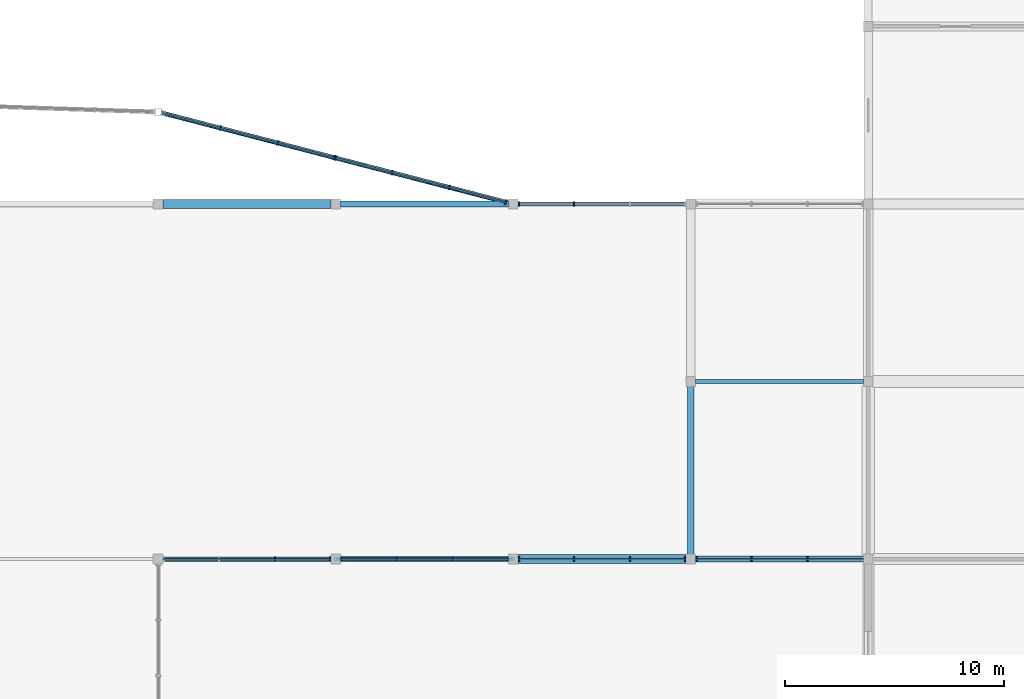
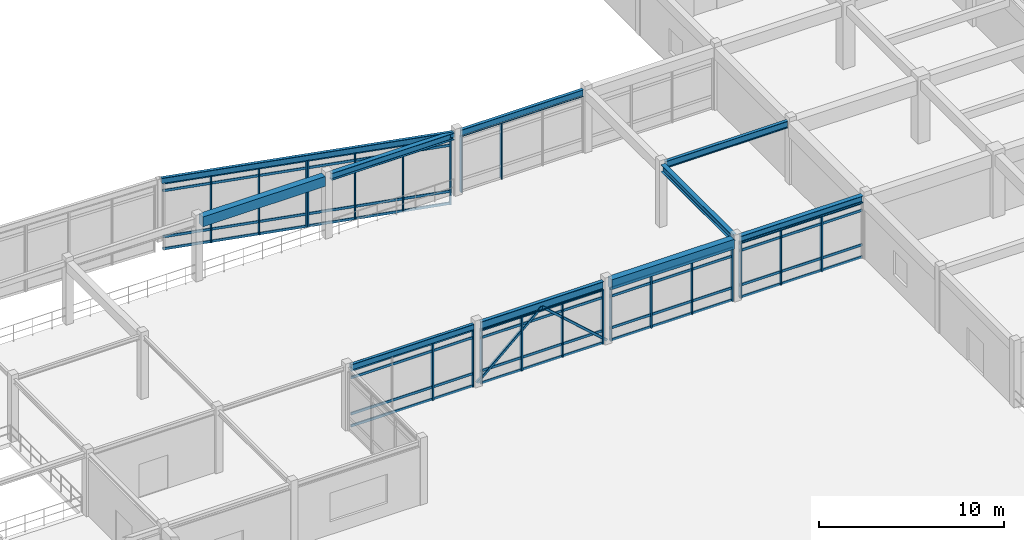
# One storey, part 27 of 89: 48 members, 10 beams, 7 elements without a shape of their own.
"""IFC4 building model written with IfcOpenShell, lengths in metres."""

from ifc_helpers import new_model, si_unit, direction, frame, origin, origin_2d, place, context, subcontext, project, spatial, rectangle, hollow_rectangle, i_section, extrude, material, layer, layer_set, material_profile, profile_set, type_object, element, aggregate, save


model = new_model("IFC4")

# Units and contexts
model_context = context("Model", 3, precision=1e-05, world=origin(), true_north=direction((0.0, 1.0)))
body_context = subcontext(model_context, "Body", "Model", "MODEL_VIEW")
ifc_project = project(units=[si_unit("LENGTHUNIT", "METRE"), si_unit("AREAUNIT", "SQUARE_METRE"), si_unit("VOLUMEUNIT", "CUBIC_METRE"), si_unit("PLANEANGLEUNIT", "RADIAN"), si_unit("MASSUNIT", "GRAM", prefix="KILO")], contexts=[model_context])

# Site, building, storey
site_placement = place(None, origin())
site = spatial("IfcSite", under=ifc_project, at=site_placement, CompositionType="ELEMENT")
building_placement = place(site_placement, origin())
building = spatial("IfcBuilding", under=site, at=building_placement, Name="Vaudrelin Polytechnic", CompositionType="ELEMENT")
storey_placement = place(building_placement, frame((0.0, 0.0, 9.68994140625)))
storey = spatial("IfcBuildingStorey", under=building, at=storey_placement, Name="L02", CompositionType="ELEMENT", Elevation=9.68994140625)

# Beams
ifc_material_1 = material(Name="Steel CSA G40.21 350WT", Category="steel")
ifc_material_profile_1 = material_profile(ifc_material_1, i_section(OverallWidth=0.19091796875, OverallDepth=0.4599609375, WebThickness=0.010009765625, FlangeThickness=0.01611328125, FilletRadius=0.01806640625, at=origin_2d()), Name="W460x82")
ifc_profile_set_1 = profile_set([ifc_material_profile_1], Name="Steel CSA G40.21 350WT")
beam_type_1 = type_object("IfcBeamType", Name="BM-BM-W460", PredefinedType="BEAM", material=ifc_profile_set_1)
for number, where, z_axis, x_axis, name in (
    (1, (113.62109375, 48.60009765625, 3.91015625), (1.0, 0.0, 0.0), (0.0, 1.0, 0.0), "L02 X-beam 15-7"),
    (2, (121.720947265625, 40.5, 3.91015625), (1.0, 0.0, 0.0), (0.0, 1.0, 0.0), "L02 X-beam 16-6"),
):
    element("IfcBeam", number, at=place(storey_placement, frame(where, z_axis=z_axis, x_axis=x_axis)), inside=storey, type_object=beam_type_1, Name=name, PredefinedType="BEAM", context=body_context, shape_type="SweptSolid", body=[
        extrude(i_section(OverallWidth=0.19091796875, OverallDepth=0.4599609375, WebThickness=0.010009765625, FlangeThickness=0.01611328125, FilletRadius=0.01806640625, at=origin_2d()), origin(), (0.0, 0.0, 1.0), 7.657958984375),
    ])
ifc_material_2 = material(Name="Steel CSA G40.21 350W", Category="steel")
ifc_material_profile_2 = material_profile(ifc_material_2, i_section(OverallWidth=0.280029296875, OverallDepth=0.462890625, WebThickness=0.0107421875, FlangeThickness=0.017333984375, FilletRadius=0.01806640625, at=origin_2d()), Name="W460x113")
ifc_profile_set_2 = profile_set([ifc_material_profile_2], Name="Steel CSA G40.21 350W")
beam_type_2 = type_object("IfcBeamType", Name="BM-BM-W460H", PredefinedType="BEAM", material=ifc_profile_set_2)
beam_1_placement = place(storey_placement, frame((121.5, 32.610107421875, 3.908447265625), z_axis=(0.0, 1.0, 0.0), x_axis=(-1.0, 0.0, 0.0)))
element("IfcBeam", 3, at=beam_1_placement, inside=storey, type_object=beam_type_2, Name="L02 Y-beam 16-5", PredefinedType="BEAM", context=body_context, shape_type="SweptSolid", body=[
    extrude(i_section(OverallWidth=0.280029296875, OverallDepth=0.462890625, WebThickness=0.0107421875, FlangeThickness=0.017333984375, FilletRadius=0.01806640625, at=origin_2d()), origin(), (0.0, 0.0, 1.0), 7.679931640625),
])
for number, where, z_axis, x_axis, name in (
    (4, (105.52099609375, 48.60009765625, 3.908447265625), (1.0, 0.0, 0.0), (0.0, 1.0, 0.0), "L02 X-beam 14-7"),
    (5, (121.720947265625, 32.39990234375, 3.908447265625), (1.0, 0.0, 0.0), (0.0, 1.0, 0.0), "L02 X-beam 16-5"),
):
    element("IfcBeam", number, at=place(storey_placement, frame(where, z_axis=z_axis, x_axis=x_axis)), inside=storey, type_object=beam_type_2, Name=name, PredefinedType="BEAM", context=body_context, shape_type="SweptSolid", body=[
        extrude(i_section(OverallWidth=0.280029296875, OverallDepth=0.462890625, WebThickness=0.0107421875, FlangeThickness=0.017333984375, FilletRadius=0.01806640625, at=origin_2d()), origin(), (0.0, 0.0, 1.0), 7.657958984375),
    ])
ifc_material_profile_3 = material_profile(ifc_material_2, i_section(OverallWidth=0.214111328125, OverallDepth=0.549072265625, WebThickness=0.0146484375, FlangeThickness=0.023681640625, FilletRadius=0.01904296875, at=origin_2d()), Name="W530x138")
ifc_profile_set_3 = profile_set([ifc_material_profile_3], Name="Steel CSA G40.21 350W")
beam_type_3 = type_object("IfcBeamType", Name="BM-BM-W530H", PredefinedType="BEAM", material=ifc_profile_set_3)
beam_2_placement = place(storey_placement, frame((105.52099609375, 32.39990234375, 3.865478515625), z_axis=(1.0, 0.0, 0.0), x_axis=(0.0, 1.0, 0.0)))
element("IfcBeam", 6, at=beam_2_placement, inside=storey, type_object=beam_type_3, Name="L02 X-beam 14-5", PredefinedType="BEAM", context=body_context, shape_type="SweptSolid", body=[
    extrude(i_section(OverallWidth=0.214111328125, OverallDepth=0.549072265625, WebThickness=0.0146484375, FlangeThickness=0.023681640625, FilletRadius=0.01904296875, at=origin_2d()), origin(), (0.0, 0.0, 1.0), 7.657958984375),
])
ifc_material_profile_4 = material_profile(ifc_material_1, hollow_rectangle(XDim=0.202880859375, YDim=0.35595703125, WallThickness=0.0126953125, InnerFilletRadius=0.0126953125, OuterFilletRadius=0.025390625, at=origin_2d()), Name="HSS356x203x12.7")
ifc_profile_set_4 = profile_set([ifc_material_profile_4], Name="Steel CSA G40.21 350WT")
beam_type_4 = type_object("IfcBeamType", Name="BM-SP-HSS35", PredefinedType="SPANDREL", material=ifc_profile_set_4)
beam_3_placement = place(storey_placement, frame((97.4208984375, 32.39990234375, 3.962158203125), z_axis=(1.0, 0.0, 0.0), x_axis=(0.0, 1.0, 0.0)))
element("IfcBeam", 7, at=beam_3_placement, inside=storey, type_object=beam_type_4, Name="L02 X-beam 13-5", PredefinedType="SPANDREL", context=body_context, shape_type="SweptSolid", body=[
    extrude(hollow_rectangle(XDim=0.202880859375, YDim=0.35595703125, WallThickness=0.0126953125, InnerFilletRadius=0.0126953125, OuterFilletRadius=0.025390625, at=origin_2d()), origin(), (0.0, 0.0, 1.0), 7.658203125),
])
beam_4_placement = place(storey_placement, frame((97.33544921875, 52.764892578125, 3.962158203125), z_axis=(0.96799462882, -0.250970911811, 0.0), x_axis=(0.250970911811, 0.96799462882, 0.0)))
element("IfcBeam", 8, at=beam_4_placement, inside=storey, type_object=beam_type_4, Name="Sculptural edge beam L02 CT_OR1_B3", PredefinedType="SPANDREL", context=body_context, shape_type="SweptSolid", body=[
    extrude(hollow_rectangle(XDim=0.202880859375, YDim=0.35595703125, WallThickness=0.0126953125, InnerFilletRadius=0.0126953125, OuterFilletRadius=0.025390625, at=origin_2d()), origin(), (0.0, 0.0, 1.0), 16.45556640625),
])
ifc_material_3 = material(Name="Concrete 40 MPa", Category="concrete")
ifc_material_profile_5 = material_profile(ifc_material_3, rectangle(XDim=0.39990234375, YDim=0.64990234375, at=origin_2d()), Name="RC400x650")
ifc_profile_set_5 = profile_set([ifc_material_profile_5], Name="Concrete 40 MPa")
beam_type_5 = type_object("IfcBeamType", Name="BM-SP-RC4065", PredefinedType="SPANDREL", material=ifc_profile_set_5)
beam_5_placement = place(storey_placement, frame((97.4208984375, 48.60009765625, 3.81494140625), z_axis=(1.0, 0.0, 0.0), x_axis=(0.0, 1.0, 0.0)))
element("IfcBeam", 9, at=beam_5_placement, inside=storey, type_object=beam_type_5, Name="L02 X-beam 13-7", PredefinedType="SPANDREL", context=body_context, shape_type="SweptSolid", body=[
    extrude(rectangle(XDim=0.39990234375, YDim=0.64990234375, at=origin_2d()), origin(), (0.0, 0.0, 1.0), 7.658203125),
])
beam_6_placement = place(storey_placement, frame((113.62109375, 32.39990234375, 3.81494140625), z_axis=(1.0, 0.0, 0.0), x_axis=(0.0, 1.0, 0.0)))
element("IfcBeam", 10, at=beam_6_placement, inside=storey, type_object=beam_type_5, Name="L02 X-beam 15-5", PredefinedType="SPANDREL", context=body_context, shape_type="SweptSolid", body=[
    extrude(rectangle(XDim=0.39990234375, YDim=0.64990234375, at=origin_2d()), origin(), (0.0, 0.0, 1.0), 7.657958984375),
])

# Members
ifc_material_profile_6 = material_profile(ifc_material_2, hollow_rectangle(XDim=0.152099609375, YDim=0.152099609375, WallThickness=0.008056640625, InnerFilletRadius=0.008056640625, OuterFilletRadius=0.01611328125, at=origin_2d()), Name="HSS152x152x8.0")
ifc_profile_set_6 = profile_set([ifc_material_profile_6], Name="Steel CSA G40.21 350W")
member_type_1 = type_object("IfcMemberType", Name="MEM-BF-D01", PredefinedType="BRACE", material=ifc_profile_set_6)
member_1_placement = place(storey_placement, frame((105.300048828125, 32.39990234375, 0.150146484375), z_axis=(0.745504532885, 0.0, 0.666500556225), x_axis=(0.0, 1.0, 0.0)))
element("IfcMember", 11, at=member_1_placement, inside=storey, type_object=member_type_1, Name="Chevron brace BF-09A", PredefinedType="BRACE", context=body_context, shape_type="SweptSolid", body=[
    extrude(hollow_rectangle(XDim=0.152099609375, YDim=0.152099609375, WallThickness=0.008056640625, InnerFilletRadius=0.008056640625, OuterFilletRadius=0.01611328125, at=origin_2d()), origin(), (0.0, 0.0, 1.0), 5.4326171875),
])
member_2_placement = place(storey_placement, frame((113.39990234375, 32.39990234375, 0.150146484375), z_axis=(-0.745484568638, 0.0, 0.666522886271), x_axis=(0.0, -1.0, 0.0)))
element("IfcMember", 12, at=member_2_placement, inside=storey, type_object=member_type_1, Name="Chevron brace BF-09B", PredefinedType="BRACE", context=body_context, shape_type="SweptSolid", body=[
    extrude(hollow_rectangle(XDim=0.152099609375, YDim=0.152099609375, WallThickness=0.008056640625, InnerFilletRadius=0.008056640625, OuterFilletRadius=0.01611328125, at=origin_2d()), origin(), (0.0, 0.0, 1.0), 5.432373046875),
])

# Curtain wall, members
ifc_material_4 = material(Name="Thermally broken anodised aluminium AA 6063-T6 and low-e triple glazing", Category="aluminium")
ifc_layer = layer(ifc_material_4, 0.199951171875)
ifc_layer_set = layer_set([ifc_layer], Name="Thermally broken anodised aluminium AA 6063-T6 and low-e triple glazing")
curtain_wall_type = type_object("IfcCurtainWallType", Name="CW-CW-WG", PredefinedType="USERDEFINED", material=ifc_layer_set)
curtain_wall_1_placement = place(storey_placement, origin())
curtain_wall_1 = element("IfcCurtainWall", 13, at=curtain_wall_1_placement, inside=storey, type_object=curtain_wall_type, Name="Curtain wall L02 S_V6E_00", ObjectType="CURTAIN WALL", PredefinedType="USERDEFINED")
ifc_material_5 = material(Name="Anodised aluminium AA 6063-T6", Category="aluminium")
ifc_material_profile_7 = material_profile(ifc_material_5, rectangle(XDim=0.074951171875, YDim=0.219970703125, at=origin_2d()), Name="CWM-75x220")
ifc_profile_set_7 = profile_set([ifc_material_profile_7], Name="Anodised aluminium AA 6063-T6")
member_type_2 = type_object("IfcMemberType", Name="MEM-CWM-220", PredefinedType="MULLION", material=ifc_profile_set_7)
member_3_placement = place(storey_placement, frame((102.525634765625, 32.39990234375, 0.0), z_axis=(0.0, 0.0, 1.0), x_axis=(1.0, 0.0, 0.0)))
member_3 = element("IfcMember", 14, at=member_3_placement, type_object=member_type_2, Name="S_V6E_00 mullion 3", PredefinedType="MULLION", context=body_context, shape_type="SweptSolid", body=[
    extrude(rectangle(XDim=0.074951171875, YDim=0.219970703125, at=origin_2d()), origin(), (0.0, 0.0, 1.0), 3.7861328125),
])
member_4_placement = place(storey_placement, frame((105.037109375, 32.39990234375, 0.0), z_axis=(0.0, 0.0, 1.0), x_axis=(1.0, 0.0, 0.0)))
member_4 = element("IfcMember", 15, at=member_4_placement, type_object=member_type_2, Name="S_V6E_00 mullion 4", PredefinedType="MULLION", context=body_context, shape_type="SweptSolid", body=[
    extrude(rectangle(XDim=0.074951171875, YDim=0.219970703125, at=origin_2d()), origin(), (0.0, 0.0, 1.0), 3.7861328125),
])

curtain_wall_2_placement = place(storey_placement, origin())
curtain_wall_2 = element("IfcCurtainWall", 16, at=curtain_wall_2_placement, inside=storey, type_object=curtain_wall_type, Name="Curtain wall L02 S_V6E_01", ObjectType="CURTAIN WALL", PredefinedType="USERDEFINED")
member_5_placement = place(storey_placement, frame((105.56298828125, 32.39990234375, 0.0), z_axis=(0.0, 0.0, 1.0), x_axis=(1.0, 0.0, 0.0)))
member_5 = element("IfcMember", 17, at=member_5_placement, type_object=member_type_2, Name="S_V6E_01 mullion 1", PredefinedType="MULLION", context=body_context, shape_type="SweptSolid", body=[
    extrude(rectangle(XDim=0.074951171875, YDim=0.219970703125, at=origin_2d()), origin(), (0.0, 0.0, 1.0), 3.593017578125),
])
member_6_placement = place(storey_placement, frame((108.07421875, 32.39990234375, 0.0), z_axis=(0.0, 0.0, 1.0), x_axis=(1.0, 0.0, 0.0)))
member_6 = element("IfcMember", 18, at=member_6_placement, type_object=member_type_2, Name="S_V6E_01 mullion 2", PredefinedType="MULLION", context=body_context, shape_type="SweptSolid", body=[
    extrude(rectangle(XDim=0.074951171875, YDim=0.219970703125, at=origin_2d()), origin(), (0.0, 0.0, 1.0), 3.593017578125),
])
member_7_placement = place(storey_placement, frame((110.625732421875, 32.39990234375, 0.0), z_axis=(0.0, 0.0, 1.0), x_axis=(1.0, 0.0, 0.0)))
member_7 = element("IfcMember", 19, at=member_7_placement, type_object=member_type_2, Name="S_V6E_01 mullion 3", PredefinedType="MULLION", context=body_context, shape_type="SweptSolid", body=[
    extrude(rectangle(XDim=0.074951171875, YDim=0.219970703125, at=origin_2d()), origin(), (0.0, 0.0, 1.0), 3.593017578125),
])
member_8_placement = place(storey_placement, frame((113.136962890625, 32.39990234375, 0.0), z_axis=(0.0, 0.0, 1.0), x_axis=(1.0, 0.0, 0.0)))
member_8 = element("IfcMember", 20, at=member_8_placement, type_object=member_type_2, Name="S_V6E_01 mullion 4", PredefinedType="MULLION", context=body_context, shape_type="SweptSolid", body=[
    extrude(rectangle(XDim=0.074951171875, YDim=0.219970703125, at=origin_2d()), origin(), (0.0, 0.0, 1.0), 3.593017578125),
])

curtain_wall_3_placement = place(storey_placement, origin())
curtain_wall_3 = element("IfcCurtainWall", 21, at=curtain_wall_3_placement, inside=storey, type_object=curtain_wall_type, Name="Curtain wall L02 S_V6E_02", ObjectType="CURTAIN WALL", PredefinedType="USERDEFINED")
member_9_placement = place(storey_placement, frame((113.6630859375, 32.39990234375, 0.0), z_axis=(0.0, 0.0, 1.0), x_axis=(1.0, 0.0, 0.0)))
member_9 = element("IfcMember", 22, at=member_9_placement, type_object=member_type_2, Name="S_V6E_02 mullion 1", PredefinedType="MULLION", context=body_context, shape_type="SweptSolid", body=[
    extrude(rectangle(XDim=0.074951171875, YDim=0.219970703125, at=origin_2d()), origin(), (0.0, 0.0, 1.0), 3.491943359375),
])
member_10_placement = place(storey_placement, frame((116.17431640625, 32.39990234375, 0.0), z_axis=(0.0, 0.0, 1.0), x_axis=(1.0, 0.0, 0.0)))
member_10 = element("IfcMember", 23, at=member_10_placement, type_object=member_type_2, Name="S_V6E_02 mullion 2", PredefinedType="MULLION", context=body_context, shape_type="SweptSolid", body=[
    extrude(rectangle(XDim=0.074951171875, YDim=0.219970703125, at=origin_2d()), origin(), (0.0, 0.0, 1.0), 3.491943359375),
])
member_11_placement = place(storey_placement, frame((118.7255859375, 32.39990234375, 0.0), z_axis=(0.0, 0.0, 1.0), x_axis=(1.0, 0.0, 0.0)))
member_11 = element("IfcMember", 24, at=member_11_placement, type_object=member_type_2, Name="S_V6E_02 mullion 3", PredefinedType="MULLION", context=body_context, shape_type="SweptSolid", body=[
    extrude(rectangle(XDim=0.074951171875, YDim=0.219970703125, at=origin_2d()), origin(), (0.0, 0.0, 1.0), 3.491943359375),
])
member_12_placement = place(storey_placement, frame((121.237060546875, 32.39990234375, 0.0), z_axis=(0.0, 0.0, 1.0), x_axis=(1.0, 0.0, 0.0)))
member_12 = element("IfcMember", 25, at=member_12_placement, type_object=member_type_2, Name="S_V6E_02 mullion 4", PredefinedType="MULLION", context=body_context, shape_type="SweptSolid", body=[
    extrude(rectangle(XDim=0.074951171875, YDim=0.219970703125, at=origin_2d()), origin(), (0.0, 0.0, 1.0), 3.491943359375),
])

curtain_wall_4_placement = place(storey_placement, origin())
curtain_wall_4 = element("IfcCurtainWall", 26, at=curtain_wall_4_placement, inside=storey, type_object=curtain_wall_type, Name="Curtain wall L02 S_V6E_03", ObjectType="CURTAIN WALL", PredefinedType="USERDEFINED")
member_13_placement = place(storey_placement, frame((121.762939453125, 32.39990234375, 0.0), z_axis=(0.0, 0.0, 1.0), x_axis=(1.0, 0.0, 0.0)))
member_13 = element("IfcMember", 27, at=member_13_placement, type_object=member_type_2, Name="S_V6E_03 mullion 1", PredefinedType="MULLION", context=body_context, shape_type="SweptSolid", body=[
    extrude(rectangle(XDim=0.074951171875, YDim=0.219970703125, at=origin_2d()), origin(), (0.0, 0.0, 1.0), 3.678955078125),
])
member_14_placement = place(storey_placement, frame((124.2744140625, 32.39990234375, 0.0), z_axis=(0.0, 0.0, 1.0), x_axis=(1.0, 0.0, 0.0)))
member_14 = element("IfcMember", 28, at=member_14_placement, type_object=member_type_2, Name="S_V6E_03 mullion 2", PredefinedType="MULLION", context=body_context, shape_type="SweptSolid", body=[
    extrude(rectangle(XDim=0.074951171875, YDim=0.219970703125, at=origin_2d()), origin(), (0.0, 0.0, 1.0), 3.678955078125),
])
member_15_placement = place(storey_placement, frame((126.82568359375, 32.39990234375, 0.0), z_axis=(0.0, 0.0, 1.0), x_axis=(1.0, 0.0, 0.0)))
member_15 = element("IfcMember", 29, at=member_15_placement, type_object=member_type_2, Name="S_V6E_03 mullion 3", PredefinedType="MULLION", context=body_context, shape_type="SweptSolid", body=[
    extrude(rectangle(XDim=0.074951171875, YDim=0.219970703125, at=origin_2d()), origin(), (0.0, 0.0, 1.0), 3.678955078125),
])

curtain_wall_5_placement = place(storey_placement, origin())
curtain_wall_5 = element("IfcCurtainWall", 30, at=curtain_wall_5_placement, inside=storey, type_object=curtain_wall_type, Name="Curtain wall L02 CT_S_08", ObjectType="CURTAIN WALL", PredefinedType="USERDEFINED")
member_16_placement = place(storey_placement, frame((113.6630859375, 48.60009765625, 0.0), z_axis=(0.0, 0.0, 1.0), x_axis=(1.0, 0.0, 0.0)))
member_16 = element("IfcMember", 31, at=member_16_placement, type_object=member_type_2, Name="CT_S_08 mullion 1", PredefinedType="MULLION", context=body_context, shape_type="SweptSolid", body=[
    extrude(rectangle(XDim=0.074951171875, YDim=0.219970703125, at=origin_2d()), origin(), (0.0, 0.0, 1.0), 3.68212890625),
])
member_17_placement = place(storey_placement, frame((116.17431640625, 48.60009765625, 0.0), z_axis=(0.0, 0.0, 1.0), x_axis=(1.0, 0.0, 0.0)))
member_17 = element("IfcMember", 32, at=member_17_placement, type_object=member_type_2, Name="CT_S_08 mullion 2", PredefinedType="MULLION", context=body_context, shape_type="SweptSolid", body=[
    extrude(rectangle(XDim=0.074951171875, YDim=0.219970703125, at=origin_2d()), origin(), (0.0, 0.0, 1.0), 3.68212890625),
])
aggregate(curtain_wall_5, [member_16, member_17])

curtain_wall_6_placement = place(storey_placement, origin())
curtain_wall_6 = element("IfcCurtainWall", 33, at=curtain_wall_6_placement, inside=storey, type_object=curtain_wall_type, Name="Curtain wall L02 CT_OR1_3_0", ObjectType="CURTAIN WALL", PredefinedType="USERDEFINED")
member_18_placement = place(storey_placement, frame((100.04443359375, 52.0625, -0.6298828125), z_axis=(0.0, 0.0, 1.0), x_axis=(0.967997343156, -0.250960442388, 0.0)))
member_18 = element("IfcMember", 34, at=member_18_placement, type_object=member_type_2, Name="CT_OR1_3_0 mullion 2", PredefinedType="MULLION", context=body_context, shape_type="SweptSolid", body=[
    extrude(rectangle(XDim=0.074951171875, YDim=0.219970703125, at=origin_2d()), origin(), (0.0, 0.0, 1.0), 4.43994140625),
])
member_19_placement = place(storey_placement, frame((102.654052734375, 51.385986328125, -0.6298828125), z_axis=(0.0, 0.0, 1.0), x_axis=(0.967997343156, -0.250960442388, 0.0)))
member_19 = element("IfcMember", 35, at=member_19_placement, type_object=member_type_2, Name="CT_OR1_3_0 mullion 3", PredefinedType="MULLION", context=body_context, shape_type="SweptSolid", body=[
    extrude(rectangle(XDim=0.074951171875, YDim=0.219970703125, at=origin_2d()), origin(), (0.0, 0.0, 1.0), 4.43994140625),
])
member_20_placement = place(storey_placement, frame((105.22509765625, 50.719482421875, -0.6298828125), z_axis=(0.0, 0.0, 1.0), x_axis=(0.967997343156, -0.250960442388, 0.0)))
member_20 = element("IfcMember", 36, at=member_20_placement, type_object=member_type_2, Name="CT_OR1_3_0 mullion 4", PredefinedType="MULLION", context=body_context, shape_type="SweptSolid", body=[
    extrude(rectangle(XDim=0.074951171875, YDim=0.219970703125, at=origin_2d()), origin(), (0.0, 0.0, 1.0), 4.43994140625),
])

curtain_wall_7_placement = place(storey_placement, origin())
curtain_wall_7 = element("IfcCurtainWall", 37, at=curtain_wall_7_placement, inside=storey, type_object=curtain_wall_type, Name="Curtain wall L02 CT_OR1_3_1", ObjectType="CURTAIN WALL", PredefinedType="USERDEFINED")
member_21_placement = place(storey_placement, frame((105.302490234375, 50.699462890625, -0.6298828125), z_axis=(0.0, 0.0, 1.0), x_axis=(0.967998121865, -0.250957438755, 0.0)))
member_21 = element("IfcMember", 38, at=member_21_placement, type_object=member_type_2, Name="CT_OR1_3_1 mullion 1", PredefinedType="MULLION", context=body_context, shape_type="SweptSolid", body=[
    extrude(rectangle(XDim=0.074951171875, YDim=0.219970703125, at=origin_2d()), origin(), (0.0, 0.0, 1.0), 4.43994140625),
])
member_22_placement = place(storey_placement, frame((107.873291015625, 50.03271484375, -0.6298828125), z_axis=(0.0, 0.0, 1.0), x_axis=(0.967998121865, -0.250957438755, 0.0)))
member_22 = element("IfcMember", 39, at=member_22_placement, type_object=member_type_2, Name="CT_OR1_3_1 mullion 2", PredefinedType="MULLION", context=body_context, shape_type="SweptSolid", body=[
    extrude(rectangle(XDim=0.074951171875, YDim=0.219970703125, at=origin_2d()), origin(), (0.0, 0.0, 1.0), 4.43994140625),
])
member_23_placement = place(storey_placement, frame((110.48291015625, 49.356201171875, -0.6298828125), z_axis=(0.0, 0.0, 1.0), x_axis=(0.967998121865, -0.250957438755, 0.0)))
member_23 = element("IfcMember", 40, at=member_23_placement, type_object=member_type_2, Name="CT_OR1_3_1 mullion 3", PredefinedType="MULLION", context=body_context, shape_type="SweptSolid", body=[
    extrude(rectangle(XDim=0.074951171875, YDim=0.219970703125, at=origin_2d()), origin(), (0.0, 0.0, 1.0), 4.43994140625),
])
member_24_placement = place(storey_placement, frame((113.053955078125, 48.689697265625, -0.6298828125), z_axis=(0.0, 0.0, 1.0), x_axis=(0.967998121865, -0.250957438755, 0.0)))
member_24 = element("IfcMember", 41, at=member_24_placement, type_object=member_type_2, Name="CT_OR1_3_1 mullion 4", PredefinedType="MULLION", context=body_context, shape_type="SweptSolid", body=[
    extrude(rectangle(XDim=0.074951171875, YDim=0.219970703125, at=origin_2d()), origin(), (0.0, 0.0, 1.0), 4.43994140625),
])

# Member
ifc_material_profile_8 = material_profile(ifc_material_5, rectangle(XDim=0.074951171875, YDim=0.1650390625, at=origin_2d()), Name="CWT-75x165")
ifc_profile_set_8 = profile_set([ifc_material_profile_8], Name="Anodised aluminium AA 6063-T6")
member_type_3 = type_object("IfcMemberType", Name="MEM-CWT-165", PredefinedType="USERDEFINED", material=ifc_profile_set_8)
member_25_placement = place(storey_placement, frame((97.423095703125, 32.39990234375, 0.050048828125), z_axis=(1.0, 0.0, 0.0), x_axis=(0.0, 1.0, 0.0)))
member_25 = element("IfcMember", 42, at=member_25_placement, type_object=member_type_3, Name="S_V6E_00 transom 1", ObjectType="TRANSOM", PredefinedType="USERDEFINED", context=body_context, shape_type="SweptSolid", body=[
    extrude(rectangle(XDim=0.074951171875, YDim=0.1650390625, at=origin_2d()), origin(), (0.0, 0.0, 1.0), 7.65380859375),
])

member_26_placement = place(storey_placement, frame((97.423095703125, 32.39990234375, 0.85009765625), z_axis=(1.0, 0.0, 0.0), x_axis=(0.0, 1.0, 0.0)))
member_26 = element("IfcMember", 43, at=member_26_placement, type_object=member_type_3, Name="S_V6E_00 transom 2", ObjectType="TRANSOM", PredefinedType="USERDEFINED", context=body_context, shape_type="SweptSolid", body=[
    extrude(rectangle(XDim=0.074951171875, YDim=0.1650390625, at=origin_2d()), origin(), (0.0, 0.0, 1.0), 7.65380859375),
])

member_27_placement = place(storey_placement, frame((97.423095703125, 32.39990234375, 3.236083984375), z_axis=(1.0, 0.0, 0.0), x_axis=(0.0, 1.0, 0.0)))
member_27 = element("IfcMember", 44, at=member_27_placement, type_object=member_type_3, Name="S_V6E_00 transom 3", ObjectType="TRANSOM", PredefinedType="USERDEFINED", context=body_context, shape_type="SweptSolid", body=[
    extrude(rectangle(XDim=0.074951171875, YDim=0.1650390625, at=origin_2d()), origin(), (0.0, 0.0, 1.0), 7.65380859375),
])

member_28_placement = place(storey_placement, frame((97.423095703125, 32.39990234375, 3.736083984375), z_axis=(1.0, 0.0, 0.0), x_axis=(0.0, 1.0, 0.0)))
member_28 = element("IfcMember", 45, at=member_28_placement, type_object=member_type_3, Name="S_V6E_00 transom 4", ObjectType="TRANSOM", PredefinedType="USERDEFINED", context=body_context, shape_type="SweptSolid", body=[
    extrude(rectangle(XDim=0.074951171875, YDim=0.1650390625, at=origin_2d()), origin(), (0.0, 0.0, 1.0), 7.65380859375),
])

aggregate(curtain_wall_1, [member_3, member_4, member_25, member_26, member_27, member_28])

member_29_placement = place(storey_placement, frame((105.52294921875, 32.39990234375, 0.050048828125), z_axis=(1.0, 0.0, 0.0), x_axis=(0.0, 1.0, 0.0)))
member_29 = element("IfcMember", 46, at=member_29_placement, type_object=member_type_3, Name="S_V6E_01 transom 1", ObjectType="TRANSOM", PredefinedType="USERDEFINED", context=body_context, shape_type="SweptSolid", body=[
    extrude(rectangle(XDim=0.074951171875, YDim=0.1650390625, at=origin_2d()), origin(), (0.0, 0.0, 1.0), 7.654052734375),
])

member_30_placement = place(storey_placement, frame((105.52294921875, 32.39990234375, 0.85009765625), z_axis=(1.0, 0.0, 0.0), x_axis=(0.0, 1.0, 0.0)))
member_30 = element("IfcMember", 47, at=member_30_placement, type_object=member_type_3, Name="S_V6E_01 transom 2", ObjectType="TRANSOM", PredefinedType="USERDEFINED", context=body_context, shape_type="SweptSolid", body=[
    extrude(rectangle(XDim=0.074951171875, YDim=0.1650390625, at=origin_2d()), origin(), (0.0, 0.0, 1.0), 7.654052734375),
])

member_31_placement = place(storey_placement, frame((105.52294921875, 32.39990234375, 3.04296875), z_axis=(1.0, 0.0, 0.0), x_axis=(0.0, 1.0, 0.0)))
member_31 = element("IfcMember", 48, at=member_31_placement, type_object=member_type_3, Name="S_V6E_01 transom 3", ObjectType="TRANSOM", PredefinedType="USERDEFINED", context=body_context, shape_type="SweptSolid", body=[
    extrude(rectangle(XDim=0.074951171875, YDim=0.1650390625, at=origin_2d()), origin(), (0.0, 0.0, 1.0), 7.654052734375),
])

member_32_placement = place(storey_placement, frame((105.52294921875, 32.39990234375, 3.54296875), z_axis=(1.0, 0.0, 0.0), x_axis=(0.0, 1.0, 0.0)))
member_32 = element("IfcMember", 49, at=member_32_placement, type_object=member_type_3, Name="S_V6E_01 transom 4", ObjectType="TRANSOM", PredefinedType="USERDEFINED", context=body_context, shape_type="SweptSolid", body=[
    extrude(rectangle(XDim=0.074951171875, YDim=0.1650390625, at=origin_2d()), origin(), (0.0, 0.0, 1.0), 7.654052734375),
])

aggregate(curtain_wall_2, [member_5, member_6, member_7, member_8, member_29, member_30, member_31, member_32])

member_33_placement = place(storey_placement, frame((113.623046875, 32.39990234375, 0.050048828125), z_axis=(1.0, 0.0, 0.0), x_axis=(0.0, 1.0, 0.0)))
member_33 = element("IfcMember", 50, at=member_33_placement, type_object=member_type_3, Name="S_V6E_02 transom 1", ObjectType="TRANSOM", PredefinedType="USERDEFINED", context=body_context, shape_type="SweptSolid", body=[
    extrude(rectangle(XDim=0.074951171875, YDim=0.1650390625, at=origin_2d()), origin(), (0.0, 0.0, 1.0), 7.654052734375),
])

member_34_placement = place(storey_placement, frame((113.623046875, 32.39990234375, 0.85009765625), z_axis=(1.0, 0.0, 0.0), x_axis=(0.0, 1.0, 0.0)))
member_34 = element("IfcMember", 51, at=member_34_placement, type_object=member_type_3, Name="S_V6E_02 transom 2", ObjectType="TRANSOM", PredefinedType="USERDEFINED", context=body_context, shape_type="SweptSolid", body=[
    extrude(rectangle(XDim=0.074951171875, YDim=0.1650390625, at=origin_2d()), origin(), (0.0, 0.0, 1.0), 7.654052734375),
])

member_35_placement = place(storey_placement, frame((113.623046875, 32.39990234375, 2.942138671875), z_axis=(1.0, 0.0, 0.0), x_axis=(0.0, 1.0, 0.0)))
member_35 = element("IfcMember", 52, at=member_35_placement, type_object=member_type_3, Name="S_V6E_02 transom 3", ObjectType="TRANSOM", PredefinedType="USERDEFINED", context=body_context, shape_type="SweptSolid", body=[
    extrude(rectangle(XDim=0.074951171875, YDim=0.1650390625, at=origin_2d()), origin(), (0.0, 0.0, 1.0), 7.654052734375),
])

member_36_placement = place(storey_placement, frame((113.623046875, 32.39990234375, 3.442138671875), z_axis=(1.0, 0.0, 0.0), x_axis=(0.0, 1.0, 0.0)))
member_36 = element("IfcMember", 53, at=member_36_placement, type_object=member_type_3, Name="S_V6E_02 transom 4", ObjectType="TRANSOM", PredefinedType="USERDEFINED", context=body_context, shape_type="SweptSolid", body=[
    extrude(rectangle(XDim=0.074951171875, YDim=0.1650390625, at=origin_2d()), origin(), (0.0, 0.0, 1.0), 7.654052734375),
])

aggregate(curtain_wall_3, [member_9, member_10, member_11, member_12, member_33, member_34, member_35, member_36])

member_37_placement = place(storey_placement, frame((121.722900390625, 32.39990234375, 0.050048828125), z_axis=(1.0, 0.0, 0.0), x_axis=(0.0, 1.0, 0.0)))
member_37 = element("IfcMember", 54, at=member_37_placement, type_object=member_type_3, Name="S_V6E_03 transom 1", ObjectType="TRANSOM", PredefinedType="USERDEFINED", context=body_context, shape_type="SweptSolid", body=[
    extrude(rectangle(XDim=0.074951171875, YDim=0.1650390625, at=origin_2d()), origin(), (0.0, 0.0, 1.0), 7.654052734375),
])

member_38_placement = place(storey_placement, frame((121.722900390625, 32.39990234375, 0.85009765625), z_axis=(1.0, 0.0, 0.0), x_axis=(0.0, 1.0, 0.0)))
member_38 = element("IfcMember", 55, at=member_38_placement, type_object=member_type_3, Name="S_V6E_03 transom 2", ObjectType="TRANSOM", PredefinedType="USERDEFINED", context=body_context, shape_type="SweptSolid", body=[
    extrude(rectangle(XDim=0.074951171875, YDim=0.1650390625, at=origin_2d()), origin(), (0.0, 0.0, 1.0), 7.654052734375),
])

member_39_placement = place(storey_placement, frame((121.722900390625, 32.39990234375, 3.129150390625), z_axis=(1.0, 0.0, 0.0), x_axis=(0.0, 1.0, 0.0)))
member_39 = element("IfcMember", 56, at=member_39_placement, type_object=member_type_3, Name="S_V6E_03 transom 3", ObjectType="TRANSOM", PredefinedType="USERDEFINED", context=body_context, shape_type="SweptSolid", body=[
    extrude(rectangle(XDim=0.074951171875, YDim=0.1650390625, at=origin_2d()), origin(), (0.0, 0.0, 1.0), 7.654052734375),
])

member_40_placement = place(storey_placement, frame((121.722900390625, 32.39990234375, 3.629150390625), z_axis=(1.0, 0.0, 0.0), x_axis=(0.0, 1.0, 0.0)))
member_40 = element("IfcMember", 57, at=member_40_placement, type_object=member_type_3, Name="S_V6E_03 transom 4", ObjectType="TRANSOM", PredefinedType="USERDEFINED", context=body_context, shape_type="SweptSolid", body=[
    extrude(rectangle(XDim=0.074951171875, YDim=0.1650390625, at=origin_2d()), origin(), (0.0, 0.0, 1.0), 7.654052734375),
])

aggregate(curtain_wall_4, [member_13, member_14, member_15, member_37, member_38, member_39, member_40])

member_41_placement = place(storey_placement, frame((97.434814453125, 52.739013671875, -0.579833984375), z_axis=(0.968001786855, -0.250943301654, 0.0), x_axis=(0.250943301654, 0.968001786855, 0.0)))
member_41 = element("IfcMember", 58, at=member_41_placement, type_object=member_type_3, Name="CT_OR1_3_0 transom 1", ObjectType="TRANSOM", PredefinedType="USERDEFINED", context=body_context, shape_type="SweptSolid", body=[
    extrude(rectangle(XDim=0.074951171875, YDim=0.1650390625, at=origin_2d()), origin(), (0.0, 0.0, 1.0), 8.087646484375),
])

member_42_placement = place(storey_placement, frame((97.434814453125, 52.739013671875, 0.219970703125), z_axis=(0.968001786855, -0.250943301654, 0.0), x_axis=(0.250943301654, 0.968001786855, 0.0)))
member_42 = element("IfcMember", 59, at=member_42_placement, type_object=member_type_3, Name="CT_OR1_3_0 transom 2", ObjectType="TRANSOM", PredefinedType="USERDEFINED", context=body_context, shape_type="SweptSolid", body=[
    extrude(rectangle(XDim=0.074951171875, YDim=0.1650390625, at=origin_2d()), origin(), (0.0, 0.0, 1.0), 8.087646484375),
])

member_43_placement = place(storey_placement, frame((97.434814453125, 52.739013671875, 3.260009765625), z_axis=(0.968001786855, -0.250943301654, 0.0), x_axis=(0.250943301654, 0.968001786855, 0.0)))
member_43 = element("IfcMember", 60, at=member_43_placement, type_object=member_type_3, Name="CT_OR1_3_0 transom 3", ObjectType="TRANSOM", PredefinedType="USERDEFINED", context=body_context, shape_type="SweptSolid", body=[
    extrude(rectangle(XDim=0.074951171875, YDim=0.1650390625, at=origin_2d()), origin(), (0.0, 0.0, 1.0), 8.087646484375),
])

member_44_placement = place(storey_placement, frame((97.434814453125, 52.739013671875, 3.760009765625), z_axis=(0.968001786855, -0.250943301654, 0.0), x_axis=(0.250943301654, 0.968001786855, 0.0)))
member_44 = element("IfcMember", 61, at=member_44_placement, type_object=member_type_3, Name="CT_OR1_3_0 transom 4", ObjectType="TRANSOM", PredefinedType="USERDEFINED", context=body_context, shape_type="SweptSolid", body=[
    extrude(rectangle(XDim=0.074951171875, YDim=0.1650390625, at=origin_2d()), origin(), (0.0, 0.0, 1.0), 8.087646484375),
])

aggregate(curtain_wall_6, [member_18, member_19, member_20, member_41, member_42, member_43, member_44])

member_45_placement = place(storey_placement, frame((105.263671875, 50.70947265625, -0.579833984375), z_axis=(0.967996354975, -0.250964253937, 0.0), x_axis=(0.250964253937, 0.967996354975, 0.0)))
member_45 = element("IfcMember", 62, at=member_45_placement, type_object=member_type_3, Name="CT_OR1_3_1 transom 1", ObjectType="TRANSOM", PredefinedType="USERDEFINED", context=body_context, shape_type="SweptSolid", body=[
    extrude(rectangle(XDim=0.074951171875, YDim=0.1650390625, at=origin_2d()), origin(), (0.0, 0.0, 1.0), 8.087890625),
])

member_46_placement = place(storey_placement, frame((105.263671875, 50.70947265625, 0.219970703125), z_axis=(0.967996354975, -0.250964253937, 0.0), x_axis=(0.250964253937, 0.967996354975, 0.0)))
member_46 = element("IfcMember", 63, at=member_46_placement, type_object=member_type_3, Name="CT_OR1_3_1 transom 2", ObjectType="TRANSOM", PredefinedType="USERDEFINED", context=body_context, shape_type="SweptSolid", body=[
    extrude(rectangle(XDim=0.074951171875, YDim=0.1650390625, at=origin_2d()), origin(), (0.0, 0.0, 1.0), 8.087890625),
])

member_47_placement = place(storey_placement, frame((105.263671875, 50.70947265625, 3.260009765625), z_axis=(0.967996354975, -0.250964253937, 0.0), x_axis=(0.250964253937, 0.967996354975, 0.0)))
member_47 = element("IfcMember", 64, at=member_47_placement, type_object=member_type_3, Name="CT_OR1_3_1 transom 3", ObjectType="TRANSOM", PredefinedType="USERDEFINED", context=body_context, shape_type="SweptSolid", body=[
    extrude(rectangle(XDim=0.074951171875, YDim=0.1650390625, at=origin_2d()), origin(), (0.0, 0.0, 1.0), 8.087890625),
])

member_48_placement = place(storey_placement, frame((105.263671875, 50.70947265625, 3.760009765625), z_axis=(0.967996354975, -0.250964253937, 0.0), x_axis=(0.250964253937, 0.967996354975, 0.0)))
member_48 = element("IfcMember", 65, at=member_48_placement, type_object=member_type_3, Name="CT_OR1_3_1 transom 4", ObjectType="TRANSOM", PredefinedType="USERDEFINED", context=body_context, shape_type="SweptSolid", body=[
    extrude(rectangle(XDim=0.074951171875, YDim=0.1650390625, at=origin_2d()), origin(), (0.0, 0.0, 1.0), 8.087890625),
])

aggregate(curtain_wall_7, [member_21, member_22, member_23, member_24, member_45, member_46, member_47, member_48])

save(model, "model.ifc")
